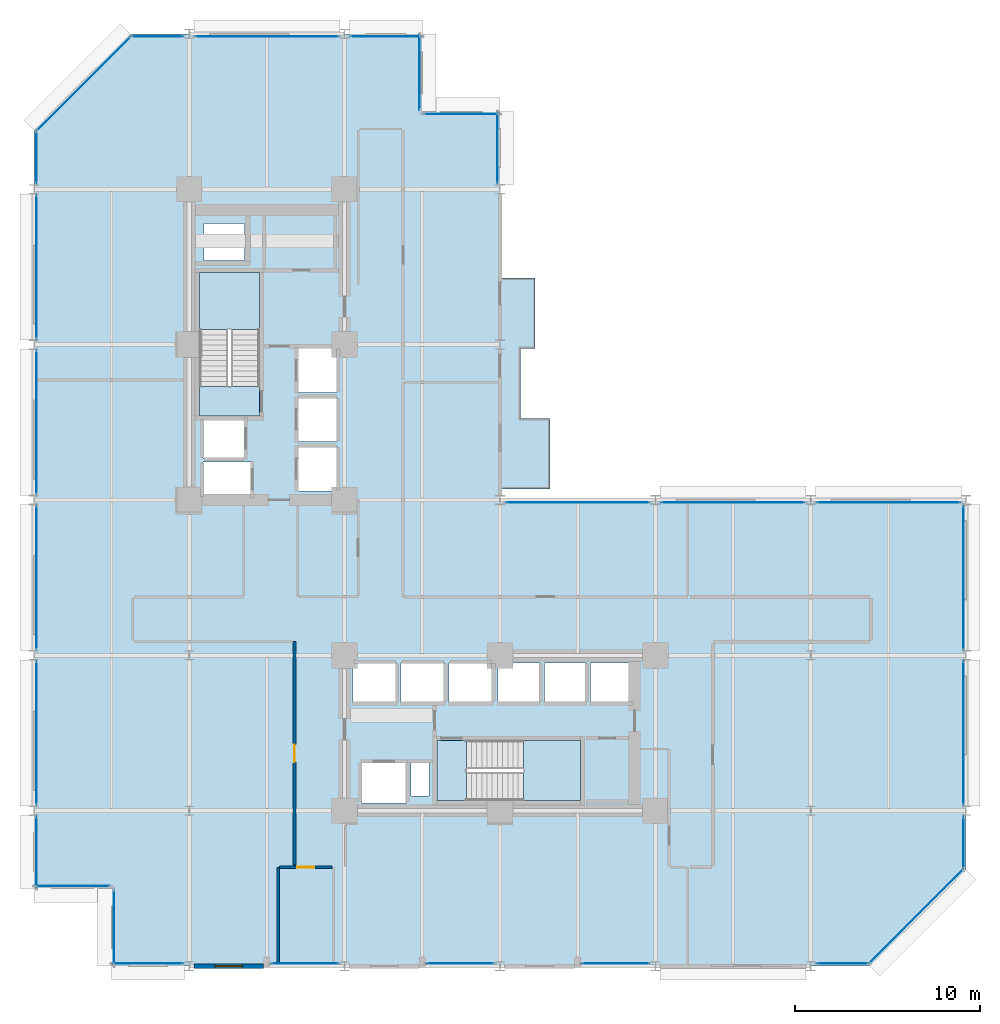
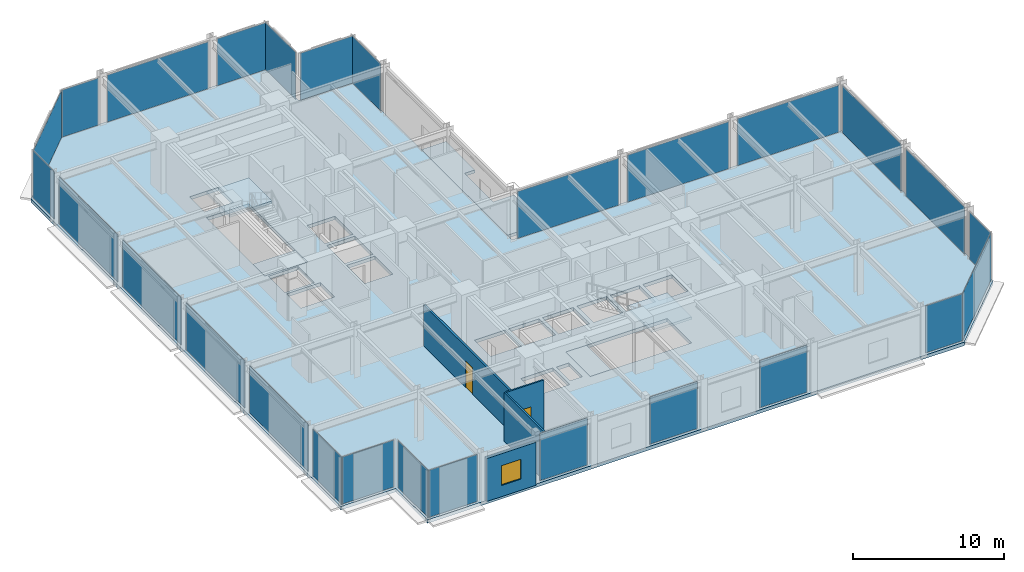
# One storey, part 19 of 25: 27 plates, 6 slabs, 4 walls, 2 doors, 1 window, 3 openings, 29 elements without a shape of their own.
"""IFC4 building model written with IfcOpenShell, lengths in metres."""

from ifc_helpers import new_model, si_unit, direction, frame, frame_2d, origin, origin_2d, place, context, subcontext, project, spatial, polyline, rectangle, outline, extrude, material, layer, layer_set, type_object, element, fill, aggregate, save


model = new_model("IFC4")

# Units and contexts
model_context = context("Model", 3, precision=1e-05, world=origin(), true_north=direction((0.0, 1.0)))
body_context = subcontext(model_context, "Body", "Model", "MODEL_VIEW")
ifc_project = project(units=[si_unit("LENGTHUNIT", "METRE"), si_unit("AREAUNIT", "SQUARE_METRE"), si_unit("VOLUMEUNIT", "CUBIC_METRE"), si_unit("PLANEANGLEUNIT", "RADIAN"), si_unit("MASSUNIT", "GRAM", prefix="KILO")], contexts=[model_context])

# Site, building, storey
site_placement = place(None, origin())
site = spatial("IfcSite", under=ifc_project, at=site_placement, CompositionType="ELEMENT")
building_placement = place(site_placement, origin())
building = spatial("IfcBuilding", under=site, at=building_placement, Name="Nerrivon Quay Data Exchange", CompositionType="ELEMENT")
storey_placement = place(building_placement, frame((0.0, 0.0, 29.0)))
storey = spatial("IfcBuildingStorey", under=building, at=storey_placement, Name="L06", CompositionType="ELEMENT", Elevation=29.0)

# Curtain wall, plate
ifc_material_1 = material(Name="Anodised aluminium 6063-T6", Category="aluminium")
ifc_layer_1 = layer(ifc_material_1, 0.219970703125)
ifc_layer_set_1 = layer_set([ifc_layer_1], Name="Anodised aluminium 6063-T6")
curtain_wall_type = type_object("IfcCurtainWallType", Name="CW-SYS-01", PredefinedType="NOTDEFINED", material=ifc_layer_set_1)
curtain_wall_1_placement = place(storey_placement, origin())
curtain_wall_1 = element("IfcCurtainWall", 1, at=curtain_wall_1_placement, inside=storey, type_object=curtain_wall_type, Name="L06 Unitised Curtain Wall 1", PredefinedType="NOTDEFINED")
ifc_material_2 = material(Name="Double-glazed low-E solar control glass", Category="glass")
ifc_layer_2 = layer(ifc_material_2, 0.028076171875)
ifc_layer_set_2 = layer_set([ifc_layer_2], Name="Double-glazed low-E solar control glass")
plate_type = type_object("IfcPlateType", Name="CWP-GLZ-28", PredefinedType="CURTAIN_PANEL", material=ifc_layer_set_2)
plate_1_placement = place(storey_placement, frame((47.700927734375, 2.698974609375, 0.06494140625), z_axis=(0.0, 0.0, 1.0), x_axis=(-0.707106781187, -0.707106781187, 0.0)))
plate_1 = element("IfcPlate", 2, at=plate_1_placement, type_object=plate_type, Name="CW01 panel 1.1", PredefinedType="CURTAIN_PANEL", context=body_context, shape_type="SweptSolid", body=[
    extrude(rectangle(XDim=7.203857421875, YDim=0.028076171875, at=origin_2d()), origin(), (0.0, 0.0, 1.0), 3.794921875),
])
aggregate(curtain_wall_1, [plate_1])

curtain_wall_2_placement = place(storey_placement, origin())
curtain_wall_2 = element("IfcCurtainWall", 3, at=curtain_wall_2_placement, inside=storey, type_object=curtain_wall_type, Name="L06 Unitised Curtain Wall 2", PredefinedType="NOTDEFINED")
plate_2_placement = place(storey_placement, frame((43.72509765625, 0.139892578125, 0.06494140625), z_axis=(0.0, 0.0, 1.0), x_axis=(-1.0, 0.0, 0.0)))
plate_2 = element("IfcPlate", 4, at=plate_2_placement, type_object=plate_type, Name="CW01 panel 1.1", PredefinedType="CURTAIN_PANEL", context=body_context, shape_type="SweptSolid", body=[
    extrude(rectangle(XDim=2.800048828125, YDim=0.028076171875, at=origin_2d()), origin(), (0.0, 0.0, 1.0), 3.794921875),
])
aggregate(curtain_wall_2, [plate_2])

curtain_wall_3_placement = place(storey_placement, origin())
curtain_wall_3 = element("IfcCurtainWall", 5, at=curtain_wall_3_placement, inside=storey, type_object=curtain_wall_type, Name="L06 Unitised Curtain Wall 4", PredefinedType="NOTDEFINED")
plate_3_placement = place(storey_placement, frame((31.46240234375, 0.139892578125, 0.06494140625), z_axis=(0.0, 0.0, 1.0), x_axis=(-1.0, 0.0, 0.0)))
plate_3 = element("IfcPlate", 6, at=plate_3_placement, type_object=plate_type, Name="CW01 panel 1.1", PredefinedType="CURTAIN_PANEL", context=body_context, shape_type="SweptSolid", body=[
    extrude(rectangle(XDim=3.625, YDim=0.028076171875, at=origin_2d()), origin(), (0.0, 0.0, 1.0), 3.794921875),
])
aggregate(curtain_wall_3, [plate_3])

curtain_wall_4_placement = place(storey_placement, origin())
curtain_wall_4 = element("IfcCurtainWall", 7, at=curtain_wall_4_placement, inside=storey, type_object=curtain_wall_type, Name="L06 Unitised Curtain Wall 6", PredefinedType="NOTDEFINED")
plate_4_placement = place(storey_placement, frame((23.0625, 0.139892578125, 0.06494140625), z_axis=(0.0, 0.0, 1.0), x_axis=(-1.0, 0.0, 0.0)))
plate_4 = element("IfcPlate", 8, at=plate_4_placement, type_object=plate_type, Name="CW01 panel 1.1", PredefinedType="CURTAIN_PANEL", context=body_context, shape_type="SweptSolid", body=[
    extrude(rectangle(XDim=3.625, YDim=0.028076171875, at=origin_2d()), origin(), (0.0, 0.0, 1.0), 3.794921875),
])
aggregate(curtain_wall_4, [plate_4])

curtain_wall_5_placement = place(storey_placement, origin())
curtain_wall_5 = element("IfcCurtainWall", 9, at=curtain_wall_5_placement, inside=storey, type_object=curtain_wall_type, Name="L06 Unitised Curtain Wall 8", PredefinedType="NOTDEFINED")
plate_5_placement = place(storey_placement, frame((14.66259765625, 0.139892578125, 0.06494140625), z_axis=(0.0, 0.0, 1.0), x_axis=(-1.0, 0.0, 0.0)))
plate_5 = element("IfcPlate", 10, at=plate_5_placement, type_object=plate_type, Name="CW01 panel 1.1", PredefinedType="CURTAIN_PANEL", context=body_context, shape_type="SweptSolid", body=[
    extrude(rectangle(XDim=3.625, YDim=0.028076171875, at=origin_2d()), origin(), (0.0, 0.0, 1.0), 3.794921875),
])
aggregate(curtain_wall_5, [plate_5])

curtain_wall_6_placement = place(storey_placement, origin())
curtain_wall_6 = element("IfcCurtainWall", 11, at=curtain_wall_6_placement, inside=storey, type_object=curtain_wall_type, Name="L06 Unitised Curtain Wall 10", PredefinedType="NOTDEFINED")
plate_6_placement = place(storey_placement, frame((6.175048828125, 0.139892578125, 0.06494140625), z_axis=(0.0, 0.0, 1.0), x_axis=(-1.0, 0.0, 0.0)))
plate_6 = element("IfcPlate", 12, at=plate_6_placement, type_object=plate_type, Name="CW01 panel 1.1", PredefinedType="CURTAIN_PANEL", context=body_context, shape_type="SweptSolid", body=[
    extrude(rectangle(XDim=3.800048828125, YDim=0.028076171875, at=origin_2d()), origin(), (0.0, 0.0, 1.0), 3.794921875),
])
aggregate(curtain_wall_6, [plate_6])

curtain_wall_7_placement = place(storey_placement, origin())
curtain_wall_7 = element("IfcCurtainWall", 13, at=curtain_wall_7_placement, inside=storey, type_object=curtain_wall_type, Name="L06 Unitised Curtain Wall 11", PredefinedType="NOTDEFINED")
plate_7_placement = place(storey_placement, frame((4.340087890625, 2.10009765625, 0.06494140625), z_axis=(0.0, 0.0, 1.0), x_axis=(0.0, 1.0, 0.0)))
plate_7 = element("IfcPlate", 14, at=plate_7_placement, type_object=plate_type, Name="CW01 panel 1.1", PredefinedType="CURTAIN_PANEL", context=body_context, shape_type="SweptSolid", body=[
    extrude(rectangle(XDim=4.050048828125, YDim=0.028076171875, at=origin_2d()), origin(), (0.0, 0.0, 1.0), 3.794921875),
])
aggregate(curtain_wall_7, [plate_7])

curtain_wall_8_placement = place(storey_placement, origin())
curtain_wall_8 = element("IfcCurtainWall", 15, at=curtain_wall_8_placement, inside=storey, type_object=curtain_wall_type, Name="L06 Unitised Curtain Wall 12", PredefinedType="NOTDEFINED")
plate_8_placement = place(storey_placement, frame((2.10009765625, 4.340087890625, 0.06494140625), z_axis=(0.0, 0.0, 1.0), x_axis=(-1.0, 0.0, 0.0)))
plate_8 = element("IfcPlate", 16, at=plate_8_placement, type_object=plate_type, Name="CW01 panel 1.1", PredefinedType="CURTAIN_PANEL", context=body_context, shape_type="SweptSolid", body=[
    extrude(rectangle(XDim=4.050048828125, YDim=0.028076171875, at=origin_2d()), origin(), (0.0, 0.0, 1.0), 3.794921875),
])
aggregate(curtain_wall_8, [plate_8])

curtain_wall_9_placement = place(storey_placement, origin())
curtain_wall_9 = element("IfcCurtainWall", 17, at=curtain_wall_9_placement, inside=storey, type_object=curtain_wall_type, Name="L06 Unitised Curtain Wall 13", PredefinedType="NOTDEFINED")
plate_9_placement = place(storey_placement, frame((0.139892578125, 6.175048828125, 0.06494140625), z_axis=(0.0, 0.0, 1.0), x_axis=(0.0, 1.0, 0.0)))
plate_9 = element("IfcPlate", 18, at=plate_9_placement, type_object=plate_type, Name="CW01 panel 1.1", PredefinedType="CURTAIN_PANEL", context=body_context, shape_type="SweptSolid", body=[
    extrude(rectangle(XDim=3.800048828125, YDim=0.028076171875, at=origin_2d()), origin(), (0.0, 0.0, 1.0), 3.794921875),
])
aggregate(curtain_wall_9, [plate_9])

curtain_wall_10_placement = place(storey_placement, origin())
curtain_wall_10 = element("IfcCurtainWall", 19, at=curtain_wall_10_placement, inside=storey, type_object=curtain_wall_type, Name="L06 Unitised Curtain Wall 14", PredefinedType="NOTDEFINED")
plate_10_placement = place(storey_placement, frame((0.139892578125, 12.60009765625, 0.06494140625), z_axis=(0.0, 0.0, 1.0), x_axis=(0.0, 1.0, 0.0)))
plate_10 = element("IfcPlate", 20, at=plate_10_placement, type_object=plate_type, Name="CW01 panel 1.1", PredefinedType="CURTAIN_PANEL", context=body_context, shape_type="SweptSolid", body=[
    extrude(rectangle(XDim=7.75, YDim=0.028076171875, at=origin_2d()), origin(), (0.0, 0.0, 1.0), 3.794921875),
])
aggregate(curtain_wall_10, [plate_10])

curtain_wall_11_placement = place(storey_placement, origin())
curtain_wall_11 = element("IfcCurtainWall", 21, at=curtain_wall_11_placement, inside=storey, type_object=curtain_wall_type, Name="L06 Unitised Curtain Wall 15", PredefinedType="NOTDEFINED")
plate_11_placement = place(storey_placement, frame((0.139892578125, 21.0, 0.06494140625), z_axis=(0.0, 0.0, 1.0), x_axis=(0.0, 1.0, 0.0)))
plate_11 = element("IfcPlate", 22, at=plate_11_placement, type_object=plate_type, Name="CW01 panel 1.1", PredefinedType="CURTAIN_PANEL", context=body_context, shape_type="SweptSolid", body=[
    extrude(rectangle(XDim=7.75, YDim=0.028076171875, at=origin_2d()), origin(), (0.0, 0.0, 1.0), 3.794921875),
])
aggregate(curtain_wall_11, [plate_11])

curtain_wall_12_placement = place(storey_placement, origin())
curtain_wall_12 = element("IfcCurtainWall", 23, at=curtain_wall_12_placement, inside=storey, type_object=curtain_wall_type, Name="L06 Unitised Curtain Wall 16", PredefinedType="NOTDEFINED")
plate_12_placement = place(storey_placement, frame((0.139892578125, 29.39990234375, 0.06494140625), z_axis=(0.0, 0.0, 1.0), x_axis=(0.0, 1.0, 0.0)))
plate_12 = element("IfcPlate", 24, at=plate_12_placement, type_object=plate_type, Name="CW01 panel 1.1", PredefinedType="CURTAIN_PANEL", context=body_context, shape_type="SweptSolid", body=[
    extrude(rectangle(XDim=7.75, YDim=0.028076171875, at=origin_2d()), origin(), (0.0, 0.0, 1.0), 3.794921875),
])
aggregate(curtain_wall_12, [plate_12])

curtain_wall_13_placement = place(storey_placement, origin())
curtain_wall_13 = element("IfcCurtainWall", 25, at=curtain_wall_13_placement, inside=storey, type_object=curtain_wall_type, Name="L06 Unitised Curtain Wall 17", PredefinedType="NOTDEFINED")
plate_13_placement = place(storey_placement, frame((0.139892578125, 37.800048828125, 0.06494140625), z_axis=(0.0, 0.0, 1.0), x_axis=(0.0, 1.0, 0.0)))
plate_13 = element("IfcPlate", 26, at=plate_13_placement, type_object=plate_type, Name="CW01 panel 1.1", PredefinedType="CURTAIN_PANEL", context=body_context, shape_type="SweptSolid", body=[
    extrude(rectangle(XDim=7.75, YDim=0.028076171875, at=origin_2d()), origin(), (0.0, 0.0, 1.0), 3.794921875),
])
aggregate(curtain_wall_13, [plate_13])

curtain_wall_14_placement = place(storey_placement, origin())
curtain_wall_14 = element("IfcCurtainWall", 27, at=curtain_wall_14_placement, inside=storey, type_object=curtain_wall_type, Name="L06 Unitised Curtain Wall 18", PredefinedType="NOTDEFINED")
plate_14_placement = place(storey_placement, frame((0.139892578125, 43.72509765625, 0.06494140625), z_axis=(0.0, 0.0, 1.0), x_axis=(0.0, 1.0, 0.0)))
plate_14 = element("IfcPlate", 28, at=plate_14_placement, type_object=plate_type, Name="CW01 panel 1.1", PredefinedType="CURTAIN_PANEL", context=body_context, shape_type="SweptSolid", body=[
    extrude(rectangle(XDim=2.800048828125, YDim=0.028076171875, at=origin_2d()), origin(), (0.0, 0.0, 1.0), 3.794921875),
])
aggregate(curtain_wall_14, [plate_14])

curtain_wall_15_placement = place(storey_placement, origin())
curtain_wall_15 = element("IfcCurtainWall", 29, at=curtain_wall_15_placement, inside=storey, type_object=curtain_wall_type, Name="L06 Unitised Curtain Wall 19", PredefinedType="NOTDEFINED")
plate_15_placement = place(storey_placement, frame((2.698974609375, 47.700927734375, 0.06494140625), z_axis=(0.0, 0.0, 1.0), x_axis=(0.707106781187, 0.707106781187, 0.0)))
plate_15 = element("IfcPlate", 30, at=plate_15_placement, type_object=plate_type, Name="CW01 panel 1.1", PredefinedType="CURTAIN_PANEL", context=body_context, shape_type="SweptSolid", body=[
    extrude(rectangle(XDim=7.203857421875, YDim=0.028076171875, at=origin_2d()), origin(), (0.0, 0.0, 1.0), 3.794921875),
])
aggregate(curtain_wall_15, [plate_15])

curtain_wall_16_placement = place(storey_placement, origin())
curtain_wall_16 = element("IfcCurtainWall", 31, at=curtain_wall_16_placement, inside=storey, type_object=curtain_wall_type, Name="L06 Unitised Curtain Wall 20", PredefinedType="NOTDEFINED")
plate_16_placement = place(storey_placement, frame((6.675048828125, 50.260009765625, 0.06494140625), z_axis=(0.0, 0.0, 1.0), x_axis=(1.0, 0.0, 0.0)))
plate_16 = element("IfcPlate", 32, at=plate_16_placement, type_object=plate_type, Name="CW01 panel 1.1", PredefinedType="CURTAIN_PANEL", context=body_context, shape_type="SweptSolid", body=[
    extrude(rectangle(XDim=2.800048828125, YDim=0.028076171875, at=origin_2d()), origin(), (0.0, 0.0, 1.0), 3.794921875),
])
aggregate(curtain_wall_16, [plate_16])

curtain_wall_17_placement = place(storey_placement, origin())
curtain_wall_17 = element("IfcCurtainWall", 33, at=curtain_wall_17_placement, inside=storey, type_object=curtain_wall_type, Name="L06 Unitised Curtain Wall 21", PredefinedType="NOTDEFINED")
plate_17_placement = place(storey_placement, frame((12.60009765625, 50.260009765625, 0.06494140625), z_axis=(0.0, 0.0, 1.0), x_axis=(1.0, 0.0, 0.0)))
plate_17 = element("IfcPlate", 34, at=plate_17_placement, type_object=plate_type, Name="CW01 panel 1.1", PredefinedType="CURTAIN_PANEL", context=body_context, shape_type="SweptSolid", body=[
    extrude(rectangle(XDim=7.75, YDim=0.028076171875, at=origin_2d()), origin(), (0.0, 0.0, 1.0), 3.794921875),
])
aggregate(curtain_wall_17, [plate_17])

curtain_wall_18_placement = place(storey_placement, origin())
curtain_wall_18 = element("IfcCurtainWall", 35, at=curtain_wall_18_placement, inside=storey, type_object=curtain_wall_type, Name="L06 Unitised Curtain Wall 22", PredefinedType="NOTDEFINED")
plate_18_placement = place(storey_placement, frame((19.02490234375, 50.260009765625, 0.06494140625), z_axis=(0.0, 0.0, 1.0), x_axis=(1.0, 0.0, 0.0)))
plate_18 = element("IfcPlate", 36, at=plate_18_placement, type_object=plate_type, Name="CW01 panel 1.1", PredefinedType="CURTAIN_PANEL", context=body_context, shape_type="SweptSolid", body=[
    extrude(rectangle(XDim=3.800048828125, YDim=0.028076171875, at=origin_2d()), origin(), (0.0, 0.0, 1.0), 3.794921875),
])
aggregate(curtain_wall_18, [plate_18])

curtain_wall_19_placement = place(storey_placement, origin())
curtain_wall_19 = element("IfcCurtainWall", 37, at=curtain_wall_19_placement, inside=storey, type_object=curtain_wall_type, Name="L06 Unitised Curtain Wall 23", PredefinedType="NOTDEFINED")
plate_19_placement = place(storey_placement, frame((20.860107421875, 48.300048828125, 0.06494140625), z_axis=(0.0, 0.0, 1.0), x_axis=(0.0, -1.0, 0.0)))
plate_19 = element("IfcPlate", 38, at=plate_19_placement, type_object=plate_type, Name="CW01 panel 1.1", PredefinedType="CURTAIN_PANEL", context=body_context, shape_type="SweptSolid", body=[
    extrude(rectangle(XDim=4.050048828125, YDim=0.028076171875, at=origin_2d()), origin(), (0.0, 0.0, 1.0), 3.794921875),
])
aggregate(curtain_wall_19, [plate_19])

curtain_wall_20_placement = place(storey_placement, origin())
curtain_wall_20 = element("IfcCurtainWall", 39, at=curtain_wall_20_placement, inside=storey, type_object=curtain_wall_type, Name="L06 Unitised Curtain Wall 24", PredefinedType="NOTDEFINED")
plate_20_placement = place(storey_placement, frame((23.10009765625, 46.06005859375, 0.06494140625), z_axis=(0.0, 0.0, 1.0), x_axis=(1.0, 0.0, 0.0)))
plate_20 = element("IfcPlate", 40, at=plate_20_placement, type_object=plate_type, Name="CW01 panel 1.1", PredefinedType="CURTAIN_PANEL", context=body_context, shape_type="SweptSolid", body=[
    extrude(rectangle(XDim=4.050048828125, YDim=0.028076171875, at=origin_2d()), origin(), (0.0, 0.0, 1.0), 3.794921875),
])
aggregate(curtain_wall_20, [plate_20])

curtain_wall_21_placement = place(storey_placement, origin())
curtain_wall_21 = element("IfcCurtainWall", 41, at=curtain_wall_21_placement, inside=storey, type_object=curtain_wall_type, Name="L06 Unitised Curtain Wall 25", PredefinedType="NOTDEFINED")
plate_21_placement = place(storey_placement, frame((25.06005859375, 44.22509765625, 0.06494140625), z_axis=(0.0, 0.0, 1.0), x_axis=(0.0, -1.0, 0.0)))
plate_21 = element("IfcPlate", 42, at=plate_21_placement, type_object=plate_type, Name="CW01 panel 1.1", PredefinedType="CURTAIN_PANEL", context=body_context, shape_type="SweptSolid", body=[
    extrude(rectangle(XDim=3.800048828125, YDim=0.028076171875, at=origin_2d()), origin(), (0.0, 0.0, 1.0), 3.794921875),
])
aggregate(curtain_wall_21, [plate_21])

curtain_wall_22_placement = place(storey_placement, origin())
curtain_wall_22 = element("IfcCurtainWall", 43, at=curtain_wall_22_placement, inside=storey, type_object=curtain_wall_type, Name="L06 Unitised Curtain Wall 28", PredefinedType="NOTDEFINED")
plate_22_placement = place(storey_placement, frame((29.39990234375, 25.06005859375, 0.06494140625), z_axis=(0.0, 0.0, 1.0), x_axis=(1.0, 0.0, 0.0)))
plate_22 = element("IfcPlate", 44, at=plate_22_placement, type_object=plate_type, Name="CW01 panel 1.1", PredefinedType="CURTAIN_PANEL", context=body_context, shape_type="SweptSolid", body=[
    extrude(rectangle(XDim=7.75, YDim=0.028076171875, at=origin_2d()), origin(), (0.0, 0.0, 1.0), 3.794921875),
])
aggregate(curtain_wall_22, [plate_22])

curtain_wall_23_placement = place(storey_placement, origin())
curtain_wall_23 = element("IfcCurtainWall", 45, at=curtain_wall_23_placement, inside=storey, type_object=curtain_wall_type, Name="L06 Unitised Curtain Wall 29", PredefinedType="NOTDEFINED")
plate_23_placement = place(storey_placement, frame((37.800048828125, 25.06005859375, 0.06494140625), z_axis=(0.0, 0.0, 1.0), x_axis=(1.0, 0.0, 0.0)))
plate_23 = element("IfcPlate", 46, at=plate_23_placement, type_object=plate_type, Name="CW01 panel 1.1", PredefinedType="CURTAIN_PANEL", context=body_context, shape_type="SweptSolid", body=[
    extrude(rectangle(XDim=7.75, YDim=0.028076171875, at=origin_2d()), origin(), (0.0, 0.0, 1.0), 3.794921875),
])
aggregate(curtain_wall_23, [plate_23])

curtain_wall_24_placement = place(storey_placement, origin())
curtain_wall_24 = element("IfcCurtainWall", 47, at=curtain_wall_24_placement, inside=storey, type_object=curtain_wall_type, Name="L06 Unitised Curtain Wall 30", PredefinedType="NOTDEFINED")
plate_24_placement = place(storey_placement, frame((46.199951171875, 25.06005859375, 0.06494140625), z_axis=(0.0, 0.0, 1.0), x_axis=(1.0, 0.0, 0.0)))
plate_24 = element("IfcPlate", 48, at=plate_24_placement, type_object=plate_type, Name="CW01 panel 1.1", PredefinedType="CURTAIN_PANEL", context=body_context, shape_type="SweptSolid", body=[
    extrude(rectangle(XDim=7.75, YDim=0.028076171875, at=origin_2d()), origin(), (0.0, 0.0, 1.0), 3.794921875),
])
aggregate(curtain_wall_24, [plate_24])

curtain_wall_25_placement = place(storey_placement, origin())
curtain_wall_25 = element("IfcCurtainWall", 49, at=curtain_wall_25_placement, inside=storey, type_object=curtain_wall_type, Name="L06 Unitised Curtain Wall 31", PredefinedType="NOTDEFINED")
plate_25_placement = place(storey_placement, frame((50.260009765625, 21.0, 0.06494140625), z_axis=(0.0, 0.0, 1.0), x_axis=(0.0, -1.0, 0.0)))
plate_25 = element("IfcPlate", 50, at=plate_25_placement, type_object=plate_type, Name="CW01 panel 1.1", PredefinedType="CURTAIN_PANEL", context=body_context, shape_type="SweptSolid", body=[
    extrude(rectangle(XDim=7.75, YDim=0.028076171875, at=origin_2d()), origin(), (0.0, 0.0, 1.0), 3.794921875),
])
aggregate(curtain_wall_25, [plate_25])

curtain_wall_26_placement = place(storey_placement, origin())
curtain_wall_26 = element("IfcCurtainWall", 51, at=curtain_wall_26_placement, inside=storey, type_object=curtain_wall_type, Name="L06 Unitised Curtain Wall 32", PredefinedType="NOTDEFINED")
plate_26_placement = place(storey_placement, frame((50.260009765625, 12.60009765625, 0.06494140625), z_axis=(0.0, 0.0, 1.0), x_axis=(0.0, -1.0, 0.0)))
plate_26 = element("IfcPlate", 52, at=plate_26_placement, type_object=plate_type, Name="CW01 panel 1.1", PredefinedType="CURTAIN_PANEL", context=body_context, shape_type="SweptSolid", body=[
    extrude(rectangle(XDim=7.75, YDim=0.028076171875, at=origin_2d()), origin(), (0.0, 0.0, 1.0), 3.794921875),
])
aggregate(curtain_wall_26, [plate_26])

curtain_wall_27_placement = place(storey_placement, origin())
curtain_wall_27 = element("IfcCurtainWall", 53, at=curtain_wall_27_placement, inside=storey, type_object=curtain_wall_type, Name="L06 Unitised Curtain Wall 33", PredefinedType="NOTDEFINED")
plate_27_placement = place(storey_placement, frame((50.260009765625, 6.675048828125, 0.06494140625), z_axis=(0.0, 0.0, 1.0), x_axis=(0.0, -1.0, 0.0)))
plate_27 = element("IfcPlate", 54, at=plate_27_placement, type_object=plate_type, Name="CW01 panel 1.1", PredefinedType="CURTAIN_PANEL", context=body_context, shape_type="SweptSolid", body=[
    extrude(rectangle(XDim=2.800048828125, YDim=0.028076171875, at=origin_2d()), origin(), (0.0, 0.0, 1.0), 3.794921875),
])
aggregate(curtain_wall_27, [plate_27])

# Slab
ifc_material_3 = material(Name="Precast white architectural concrete N50 (50 MPa)", Category="concrete")
ifc_layer_3 = layer(ifc_material_3, 0.25)
ifc_layer_set_3 = layer_set([ifc_layer_3], Name="Precast white architectural concrete N50 (50 MPa)")
slab_type_1 = type_object("IfcSlabType", Name="SLB-BAL-250", PredefinedType="FLOOR", material=ifc_layer_set_3)
slab_1_placement = place(storey_placement, frame((0.0, 0.0, -0.25)))
element("IfcSlab", 55, at=slab_1_placement, inside=storey, type_object=slab_type_1, Name="L06 Waterfront Subtropical Verandah", PredefinedType="FLOOR", context=body_context, shape_type="SweptSolid", body=[
    extrude(outline(polyline([(26.300048828125, 29.60009765625), (26.300048828125, 33.39990234375), (27.10009765625, 33.39990234375), (27.10009765625, 37.199951171875), (25.199951171875, 37.199951171875), (25.199951171875, 33.39990234375), (25.199951171875, 29.60009765625), (25.199951171875, 25.800048828125), (27.89990234375, 25.800048828125), (27.89990234375, 29.60009765625), (26.300048828125, 29.60009765625)])), origin(), (0.0, 0.0, 1.0), 0.25),
])

# Stair, slab
ifc_material_4 = material(Name="Concrete N50 (50 MPa)", Category="concrete")
stair_type = type_object("IfcStairType", Name="STAIR-DOG-42", PredefinedType="HALF_TURN_STAIR", material=ifc_material_4)
stair_1_placement = place(storey_placement, origin())
stair_1 = element("IfcStair", 56, at=stair_1_placement, inside=storey, type_object=stair_type, Name="L06 West Core Fire Stair ST01", PredefinedType="HALF_TURN_STAIR")
ifc_layer_4 = layer(ifc_material_4, 0.199951171875)
ifc_layer_set_4 = layer_set([ifc_layer_4], Name="Concrete N50 (50 MPa)")
slab_type_2 = type_object("IfcSlabType", Name="SLB-LAND-200", PredefinedType="LANDING", material=ifc_layer_set_4)
slab_2_placement = place(storey_placement, frame((0.0, 0.0, 1.89990234375)))
slab_2 = element("IfcSlab", 57, at=slab_2_placement, type_object=slab_type_2, Name="ST01 landing 1", PredefinedType="LANDING", context=body_context, shape_type="SweptSolid", body=[
    extrude(outline(polyline([(12.199951171875, 34.409912109375), (12.199951171875, 37.5), (8.949951171875, 37.5), (8.949951171875, 34.409912109375), (12.199951171875, 34.409912109375)])), origin(), (0.0, 0.0, 1.0), 0.2001953125),
])
aggregate(stair_1, [slab_2])

# Slab
slab_3_placement = place(storey_placement, frame((0.0, 0.0, -0.199951171875)))
element("IfcSlab", 58, at=slab_3_placement, inside=storey, type_object=slab_type_2, Name="L06 ST01 floor landing", PredefinedType="LANDING", context=body_context, shape_type="SweptSolid", body=[
    extrude(outline(polyline([(12.199951171875, 29.75), (12.199951171875, 31.330078125), (8.949951171875, 31.330078125), (8.949951171875, 29.75), (12.199951171875, 29.75)])), origin(), (0.0, 0.0, 1.0), 0.199951171875),
])

# Stair, slab
stair_2_placement = place(storey_placement, origin())
stair_2 = element("IfcStair", 59, at=stair_2_placement, inside=storey, type_object=stair_type, Name="L06 East Core Fire Stair ST02", PredefinedType="HALF_TURN_STAIR")
slab_4_placement = place(storey_placement, frame((0.0, 0.0, 1.89990234375)))
slab_4 = element("IfcSlab", 60, at=slab_4_placement, type_object=slab_type_2, Name="ST02 landing 1", PredefinedType="LANDING", context=body_context, shape_type="SweptSolid", body=[
    extrude(outline(polyline([(26.4599609375, 8.949951171875), (29.550048828125, 8.949951171875), (29.550048828125, 12.199951171875), (26.4599609375, 12.199951171875), (26.4599609375, 8.949951171875)])), origin(), (0.0, 0.0, 1.0), 0.2001953125),
])
aggregate(stair_2, [slab_4])

# Slabs
slab_5_placement = place(storey_placement, frame((0.0, 0.0, -0.199951171875)))
element("IfcSlab", 61, at=slab_5_placement, inside=storey, type_object=slab_type_2, Name="L06 ST02 floor landing", PredefinedType="LANDING", context=body_context, shape_type="SweptSolid", body=[
    extrude(outline(polyline([(21.800048828125, 8.949951171875), (23.3798828125, 8.949951171875), (23.3798828125, 12.199951171875), (21.800048828125, 12.199951171875), (21.800048828125, 8.949951171875)])), origin(), (0.0, 0.0, 1.0), 0.199951171875),
])
ifc_layer_5 = layer(ifc_material_4, 0.27490234375)
ifc_layer_set_5 = layer_set([ifc_layer_5], Name="Concrete N50 (50 MPa)")
slab_type_3 = type_object("IfcSlabType", Name="SLB-TOW-275", PredefinedType="FLOOR", material=ifc_layer_set_5)
slab_6_placement = place(storey_placement, frame((0.0, 0.0, -0.27490234375)))
element("IfcSlab", 62, at=slab_6_placement, inside=storey, type_object=slab_type_3, Name="L06 Primary Structural Slab", PredefinedType="FLOOR", context=body_context, shape_type="SweptSolid", body=[
    extrude(outline(polyline([(50.39990234375, 25.199951171875), (25.199951171875, 25.199951171875), (25.199951171875, 46.199951171875), (21.0, 46.199951171875), (21.0, 50.39990234375), (5.199951171875, 50.39990234375), (0.0, 45.199951171875), (0.0, 4.199951171875), (4.199951171875, 4.199951171875), (4.199951171875, 0.0), (45.199951171875, 0.0), (50.39990234375, 5.199951171875), (50.39990234375, 25.199951171875)]), holes=[polyline([(8.949951171875, 29.75), (8.949951171875, 37.5), (12.199951171875, 37.5), (12.199951171875, 29.75), (8.949951171875, 29.75)]), polyline([(21.800048828125, 12.199951171875), (29.550048828125, 12.199951171875), (29.550048828125, 8.949951171875), (21.800048828125, 8.949951171875), (21.800048828125, 12.199951171875)]), polyline([(30.10009765625, 16.39990234375), (32.35009765625, 16.39990234375), (32.35009765625, 14.25), (30.10009765625, 14.25), (30.10009765625, 16.39990234375)]), polyline([(27.60009765625, 16.39990234375), (29.85009765625, 16.39990234375), (29.85009765625, 14.25), (27.60009765625, 14.25), (27.60009765625, 16.39990234375)]), polyline([(25.10009765625, 16.39990234375), (27.35009765625, 16.39990234375), (27.35009765625, 14.25), (25.10009765625, 14.25), (25.10009765625, 16.39990234375)]), polyline([(22.449951171875, 16.39990234375), (24.800048828125, 16.39990234375), (24.800048828125, 14.25), (22.449951171875, 14.25), (22.449951171875, 16.39990234375)]), polyline([(19.85009765625, 16.39990234375), (22.199951171875, 16.39990234375), (22.199951171875, 14.25), (19.85009765625, 14.25), (19.85009765625, 16.39990234375)]), polyline([(20.39990234375, 11.0), (21.35009765625, 11.0), (21.35009765625, 9.199951171875), (20.39990234375, 9.199951171875), (20.39990234375, 11.0)]), polyline([(17.699951171875, 8.830078125), (17.699951171875, 11.030029296875), (20.14990234375, 11.030029296875), (20.14990234375, 8.830078125), (17.699951171875, 8.830078125)]), polyline([(17.25, 14.25), (17.25, 16.39990234375), (19.60009765625, 16.39990234375), (19.60009765625, 14.25), (17.25, 14.25)]), polyline([(14.25, 28.10009765625), (16.39990234375, 28.10009765625), (16.39990234375, 25.699951171875), (14.25, 25.699951171875), (14.25, 28.10009765625)]), polyline([(14.25, 30.75), (16.39990234375, 30.75), (16.39990234375, 28.35009765625), (14.25, 28.35009765625), (14.25, 30.75)]), polyline([(14.25, 33.39990234375), (16.39990234375, 33.39990234375), (16.39990234375, 31.0), (14.25, 31.0), (14.25, 33.39990234375)]), polyline([(9.14990234375, 27.25), (11.75, 27.25), (11.75, 25.35009765625), (9.14990234375, 25.35009765625), (9.14990234375, 27.25)]), polyline([(9.14990234375, 29.60009765625), (11.39990234375, 29.60009765625), (11.39990234375, 27.449951171875), (9.14990234375, 27.449951171875), (9.14990234375, 29.60009765625)]), polyline([(9.199951171875, 40.14990234375), (11.39990234375, 40.14990234375), (11.39990234375, 38.14990234375), (9.199951171875, 38.14990234375), (9.199951171875, 40.14990234375)])]), origin(), (0.0, 0.0, 1.0), 0.27490234375),
])

# Wall, opening, window
ifc_material_5 = material(Name="Architectural terracotta precast concrete N50 (50 MPa)", Category="masonry")
ifc_layer_6 = layer(ifc_material_5, 0.239990234375)
ifc_layer_set_6 = layer_set([ifc_layer_6], Name="Architectural terracotta precast concrete N50 (50 MPa)")
wall_type_1 = type_object("IfcWallType", Name="EW-PREC-240", PredefinedType="STANDARD", material=ifc_layer_set_6)
wall_1_placement = place(storey_placement, frame((12.425048828125, 0.0, 0.0), z_axis=(0.0, 0.0, 1.0), x_axis=(-1.0, 0.0, 0.0)))
wall_1 = element("IfcWall", 63, at=wall_1_placement, inside=storey, type_object=wall_type_1, Name="L06 Podium Precast Spandrel Wall 9", PredefinedType="STANDARD", context=body_context, shape_type="SweptSolid", body=[
    extrude(rectangle(XDim=3.775146484375, YDim=0.239990234375, at=frame_2d((1.8876953125, 0.0))), origin(), (0.0, 0.0, 1.0), 3.470947265625),
])
opening_1_placement = place(wall_1_placement, frame((1.137451171875, 0.0, 0.89990234375)))
opening_1 = element("IfcOpeningElement", 64, at=opening_1_placement, cuts=wall_1, Name="Opening WN4", PredefinedType="OPENING", context=body_context, shape_type="SweptSolid", body=[
    extrude(rectangle(XDim=1.5, YDim=1.60009765625, at=frame_2d((0.75, 0.800048828125))), frame((0.0, 0.1298828125, 0.0), z_axis=(0.0, -1.0, 0.0), x_axis=(1.0, 0.0, 0.0)), (0.0, 0.0, 1.0), 0.260009765625),
])
window_type = type_object("IfcWindowType", Name="WIN-W4-1500x1600", PartitioningType="SINGLE_PANEL", PredefinedType="WINDOW", material=ifc_material_2)
window_placement = place(opening_1_placement, origin())
window = element("IfcWindow", 65, at=window_placement, inside=storey, type_object=window_type, Name="L06 Solar Facade Window 9", OverallHeight=1.60009765625, OverallWidth=1.5, PartitioningType="SINGLE_PANEL", PredefinedType="WINDOW", context=body_context, shape_type="SweptSolid", body=[
    extrude(rectangle(XDim=1.5, YDim=1.60009765625, at=frame_2d((0.75, 0.800048828125))), frame((0.0, 0.030029296875, 0.0), z_axis=(0.0, -1.0, 0.0), x_axis=(1.0, 0.0, 0.0)), (0.0, 0.0, 1.0), 0.06005859375),
])
fill(opening_1, window)

# Wall, opening, door
ifc_material_6 = material(Name="Gypsum plasterboard on cold-formed framing", Category="gypsum")
ifc_layer_7 = layer(ifc_material_6, 0.1201171875)
ifc_layer_set_7 = layer_set([ifc_layer_7], Name="Gypsum plasterboard on cold-formed framing")
wall_type_2 = type_object("IfcWallType", Name="WALL-PT-120", PredefinedType="PARTITIONING", material=ifc_layer_set_7)
wall_2_placement = place(storey_placement, frame((16.12841796875, 5.340087890625, 0.0), z_axis=(0.0, 0.0, 1.0), x_axis=(-1.0, 0.0, 0.0)))
wall_2 = element("IfcWall", 66, at=wall_2_placement, inside=storey, type_object=wall_type_2, Name="L06 Partition Accessible Toilet", PredefinedType="PARTITIONING", context=body_context, shape_type="SweptSolid", body=[
    extrude(rectangle(XDim=2.85693359375, YDim=0.1201171875, at=frame_2d((1.428466796875, 0.0))), origin(), (0.0, 0.0, 1.0), 3.925048828125),
])
opening_2_placement = place(wall_2_placement, frame((0.968505859375, 0.0, 0.0)))
opening_2 = element("IfcOpeningElement", 67, at=opening_2_placement, cuts=wall_2, Name="Opening D-WC", PredefinedType="OPENING", context=body_context, shape_type="SweptSolid", body=[
    extrude(rectangle(XDim=0.919921875, YDim=2.10009765625, at=frame_2d((0.4599609375, 1.050048828125))), frame((0.0, 0.070068359375, 0.0), z_axis=(0.0, -1.0, 0.0), x_axis=(1.0, 0.0, 0.0)), (0.0, 0.0, 1.0), 0.14013671875),
])
ifc_material_7 = material(Name="Engineered hardwood timber", Category="wood")
door_type_1 = type_object("IfcDoorType", Name="DR-WC-920", OperationType="NOTDEFINED", PredefinedType="DOOR", material=ifc_material_7)
door_1_placement = place(opening_2_placement, origin())
door_1 = element("IfcDoor", 68, at=door_1_placement, inside=storey, type_object=door_type_1, Name="L06 Door Accessible Toilet", OperationType="SINGLE_SWING_LEFT", OverallHeight=2.10009765625, OverallWidth=0.919921875, PredefinedType="DOOR", context=body_context, shape_type="SweptSolid", body=[
    extrude(rectangle(XDim=0.919921875, YDim=2.10009765625, at=frame_2d((0.4599609375, 1.050048828125))), frame((0.0, 0.02490234375, 0.0), z_axis=(0.0, -1.0, 0.0), x_axis=(1.0, 0.0, 0.0)), (0.0, 0.0, 1.0), 0.050048828125),
])
fill(opening_2, door_1)

# Wall
ifc_layer_8 = layer(ifc_material_6, 0.135009765625)
ifc_layer_set_8 = layer_set([ifc_layer_8], Name="Gypsum plasterboard on cold-formed framing")
wall_type_3 = type_object("IfcWallType", Name="WALL-PT-135", PredefinedType="PARTITIONING", material=ifc_layer_set_8)
wall_3_placement = place(storey_placement, frame((13.199951171875, 5.340087890625, 0.0), z_axis=(0.0, 0.0, 1.0), x_axis=(0.0, -1.0, 0.0)))
element("IfcWall", 69, at=wall_3_placement, inside=storey, type_object=wall_type_3, Name="L06 Partition Accessible Toilet", PredefinedType="PARTITIONING", context=body_context, shape_type="SweptSolid", body=[
    extrude(rectangle(XDim=5.171142578125, YDim=0.135009765625, at=frame_2d((2.58544921875, 0.0))), origin(), (0.0, 0.0, 1.0), 3.925048828125),
])

# Wall, opening, door
ifc_layer_9 = layer(ifc_material_6, 0.14990234375)
ifc_layer_set_9 = layer_set([ifc_layer_9], Name="Gypsum plasterboard on cold-formed framing")
wall_type_4 = type_object("IfcWallType", Name="WALL-PT-150", PredefinedType="PARTITIONING", material=ifc_layer_set_9)
wall_4_placement = place(storey_placement, frame((14.090087890625, 5.4599609375, 0.0), z_axis=(0.0, 0.0, 1.0), x_axis=(0.0, 1.0, 0.0)))
wall_4 = element("IfcWall", 70, at=wall_4_placement, inside=storey, type_object=wall_type_4, Name="L06 Partition Optical Engineering Studios Workspace", PredefinedType="PARTITIONING", context=body_context, shape_type="SweptSolid", body=[
    extrude(rectangle(XDim=12.080078125, YDim=0.14990234375, at=frame_2d((6.0400390625, 0.0))), origin(), (0.0, 0.0, 1.0), 3.31298828125),
])
opening_3_placement = place(wall_4_placement, frame((5.56494140625, 0.0, 0.0)))
opening_3 = element("IfcOpeningElement", 71, at=opening_3_placement, cuts=wall_4, Name="Opening D-01", PredefinedType="OPENING", context=body_context, shape_type="SweptSolid", body=[
    extrude(rectangle(XDim=0.949951171875, YDim=2.14990234375, at=frame_2d((0.47509765625, 1.074951171875))), frame((0.0, 0.0849609375, 0.0), z_axis=(0.0, -1.0, 0.0), x_axis=(1.0, 0.0, 0.0)), (0.0, 0.0, 1.0), 0.169921875),
])
door_type_2 = type_object("IfcDoorType", Name="DR-INT-950", OperationType="NOTDEFINED", PredefinedType="DOOR", material=ifc_material_7)
door_2_placement = place(opening_3_placement, origin())
door_2 = element("IfcDoor", 72, at=door_2_placement, inside=storey, type_object=door_type_2, Name="L06 Door Optical Engineering Studios Workspace", OperationType="SINGLE_SWING_LEFT", OverallHeight=2.14990234375, OverallWidth=0.949951171875, PredefinedType="DOOR", context=body_context, shape_type="SweptSolid", body=[
    extrude(rectangle(XDim=0.949951171875, YDim=2.14990234375, at=frame_2d((0.47509765625, 1.074951171875))), frame((0.0, 0.02490234375, 0.0), z_axis=(0.0, -1.0, 0.0), x_axis=(1.0, 0.0, 0.0)), (0.0, 0.0, 1.0), 0.050048828125),
])
fill(opening_3, door_2)

save(model, "model.ifc")
